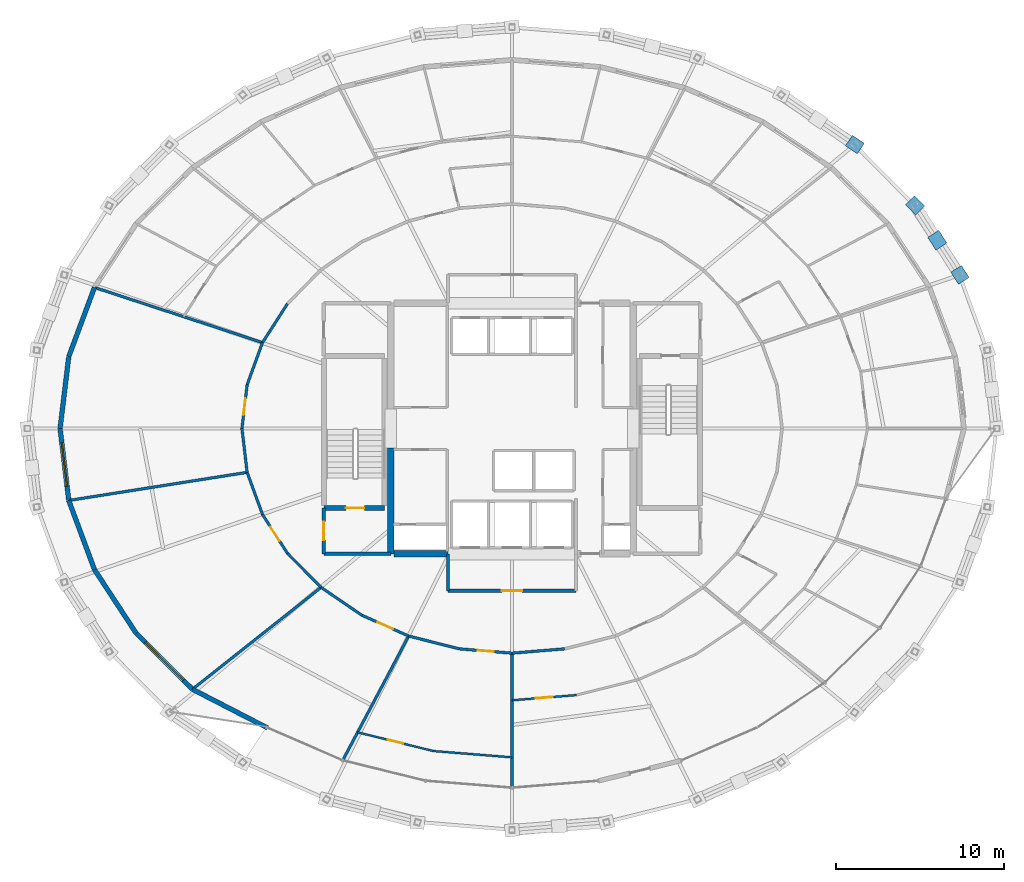
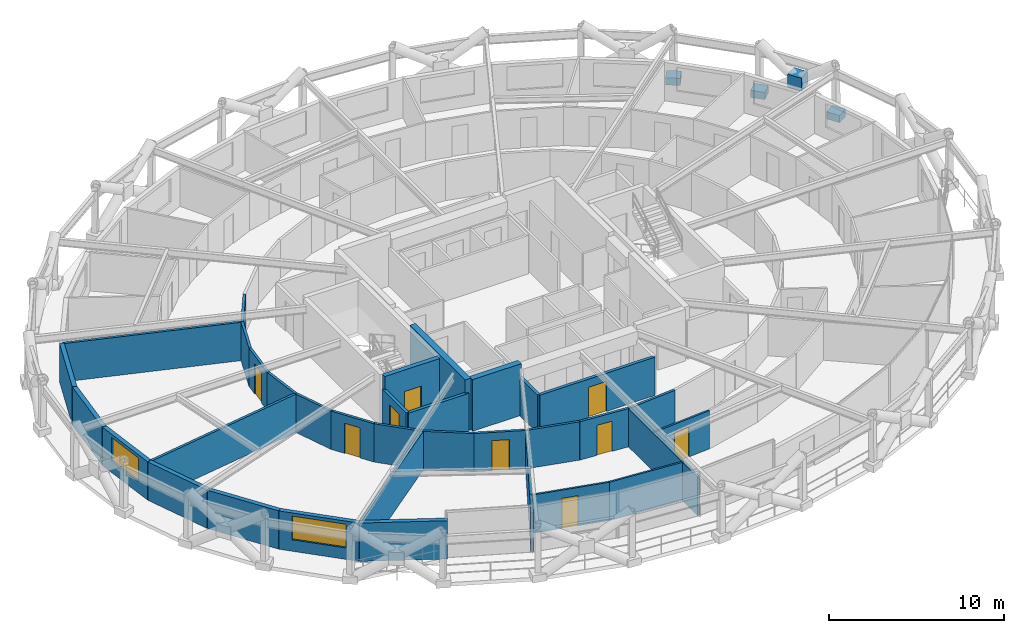
# One storey, part 15 of 23: 34 walls, 9 doors, 4 plates, 2 windows, 11 openings.
"""IFC4 building model written with IfcOpenShell, lengths in metres."""

from ifc_helpers import new_model, si_unit, direction, frame, frame_2d, origin, origin_2d, place, context, subcontext, project, spatial, rectangle, extrude, material, layer, layer_set, type_object, element, fill, save


model = new_model("IFC4")

# Units and contexts
model_context = context("Model", 3, precision=1e-05, world=origin(), true_north=direction((0.0, 1.0)))
body_context = subcontext(model_context, "Body", "Model", "MODEL_VIEW")
ifc_project = project(units=[si_unit("LENGTHUNIT", "METRE"), si_unit("AREAUNIT", "SQUARE_METRE"), si_unit("VOLUMEUNIT", "CUBIC_METRE"), si_unit("PLANEANGLEUNIT", "RADIAN"), si_unit("MASSUNIT", "GRAM", prefix="KILO")], contexts=[model_context])

# Site, building, storey
site_placement = place(None, origin())
site = spatial("IfcSite", under=ifc_project, at=site_placement, CompositionType="ELEMENT")
building_placement = place(site_placement, origin())
building = spatial("IfcBuilding", under=site, at=building_placement, Name="Veldorina Hangang Commons", CompositionType="ELEMENT")
storey_placement = place(building_placement, frame((0.0, 0.0, 102.39990234375)))
storey = spatial("IfcBuildingStorey", under=building, at=storey_placement, Name="L26", CompositionType="ELEMENT", Elevation=102.39990234375)

# Plates
ifc_material_1 = material(Name="Steel SM460-TMC", Category="steel")
ifc_layer_1 = layer(ifc_material_1, 0.035888671875)
ifc_layer_set_1 = layer_set([ifc_layer_1], Name="Steel SM460-TMC")
plate_type = type_object("IfcPlateType", Name="PL-STAR-36", PredefinedType="USERDEFINED", material=ifc_layer_set_1)
plate_1_placement = place(storey_placement, frame((58.625732421875, 33.135986328125, -0.08984375), z_axis=(0.0, 0.0, 1.0), x_axis=(-0.542177586725, 0.840263925474, 0.0)))
element("IfcPlate", 1, at=plate_1_placement, inside=storey, type_object=plate_type, Name="L26 diagrid star-node gusset plate 02", ObjectType="GUSSET PLATE", PredefinedType="USERDEFINED", context=body_context, shape_type="SweptSolid", body=[
    extrude(rectangle(XDim=0.85009765625, YDim=0.75, at=origin_2d()), origin(), (0.0, 0.0, 1.0), 0.5),
])
plate_2_placement = place(storey_placement, frame((57.2783203125, 35.19384765625, 1.35107421875), z_axis=(0.0, 0.0, 1.0), x_axis=(-0.542177586725, 0.840263925474, 0.0)))
element("IfcPlate", 2, at=plate_2_placement, inside=storey, type_object=plate_type, Name="L26 diagrid X-crossing star-node gusset plate 02", ObjectType="GUSSET PLATE", PredefinedType="USERDEFINED", context=body_context, shape_type="SweptSolid", body=[
    extrude(rectangle(XDim=0.89990234375, YDim=0.780029296875, at=origin_2d()), origin(), (0.0, 0.0, 1.0), 0.89990234375),
])
for number, where, z_axis, x_axis, name in (
    (3, (55.962646484375, 37.263427734375, -0.08984375), (0.0, 0.0, 1.0), (-0.703791578402, 0.710406513322, 0.0), "L26 diagrid star-node gusset plate 03"),
    (4, (52.37841796875, 40.88134765625, -0.08984375), (0.0, 0.0, 1.0), (-0.826992272221, 0.56221328843, 0.0), "L26 diagrid star-node gusset plate 04"),
):
    element("IfcPlate", number, at=place(storey_placement, frame(where, z_axis=z_axis, x_axis=x_axis)), inside=storey, type_object=plate_type, Name=name, ObjectType="GUSSET PLATE", PredefinedType="USERDEFINED", context=body_context, shape_type="SweptSolid", body=[
        extrude(rectangle(XDim=0.85009765625, YDim=0.75, at=origin_2d()), origin(), (0.0, 0.0, 1.0), 0.5),
    ])

# Walls
ifc_material_2 = material(Name="Concrete C70/85", Category="concrete")
ifc_layer_2 = layer(ifc_material_2, 0.3798828125)
ifc_layer_set_2 = layer_set([ifc_layer_2], Name="Concrete C70/85")
wall_type_1 = type_object("IfcWallType", Name="CW-RC380-C70", PredefinedType="SHEAR", material=ifc_layer_set_2)
wall_1_placement = place(storey_placement, frame((24.800048828125, 16.550048828125, 0.0), z_axis=(0.0, 0.0, 1.0), x_axis=(0.0, 1.0, 0.0)))
element("IfcWall", 5, at=wall_1_placement, inside=storey, type_object=wall_type_1, Name="L26 W south core shear wall", PredefinedType="SHEAR", context=body_context, shape_type="SweptSolid", body=[
    extrude(rectangle(XDim=6.300048828125, YDim=0.3798828125, at=frame_2d((3.14990234375, 0.0))), origin(), (0.0, 0.0, 1.0), 3.60009765625),
])
wall_2_placement = place(storey_placement, frame((24.989990234375, 16.550048828125, 0.0), z_axis=(0.0, 0.0, 1.0), x_axis=(1.0, 0.0, 0.0)))
element("IfcWall", 6, at=wall_2_placement, inside=storey, type_object=wall_type_1, Name="L26 south-west core shear wall", PredefinedType="SHEAR", context=body_context, shape_type="SweptSolid", body=[
    extrude(rectangle(XDim=3.2099609375, YDim=0.3798828125, at=frame_2d((1.60498046875, 0.0))), origin(), (0.0, 0.0, 1.0), 3.60009765625),
])
ifc_material_3 = material(Name="Stone Roman Travertine", Category="masonry")
ifc_layer_3 = layer(ifc_material_3, 0.280029296875)
ifc_layer_set_3 = layer_set([ifc_layer_3], Name="Stone Roman Travertine")
wall_type_2 = type_object("IfcWallType", Name="EW-TRAV-280", PredefinedType="STANDARD", material=ifc_layer_set_3)
wall_3_placement = place(storey_placement, frame((7.18505859375, 32.385986328125, 0.0), z_axis=(0.0, 0.0, 1.0), x_axis=(-0.3485233369, -0.937300103295, 0.0)))
element("IfcWall", 7, at=wall_3_placement, inside=storey, type_object=wall_type_2, Name="L26 travertine facade wall 14", PredefinedType="STANDARD", context=body_context, shape_type="SweptSolid", body=[
    extrude(rectangle(XDim=4.3857421875, YDim=0.280029296875, at=frame_2d((2.19287109375, 0.0))), origin(), (0.0, 0.0, 1.0), 2.670166015625),
])
wall_4_placement = place(storey_placement, frame((5.656494140625, 28.275146484375, 0.0), z_axis=(0.0, 0.0, 1.0), x_axis=(-0.119853881621, -0.992791542601, 0.0)))
element("IfcWall", 8, at=wall_4_placement, inside=storey, type_object=wall_type_2, Name="L26 travertine facade wall 15", PredefinedType="STANDARD", context=body_context, shape_type="SweptSolid", body=[
    extrude(rectangle(XDim=4.30615234375, YDim=0.280029296875, at=frame_2d((2.153076171875, 0.0))), origin(), (0.0, 0.0, 1.0), 2.670166015625),
])

# Wall, opening, window
wall_5_placement = place(storey_placement, frame((5.140380859375, 24.0, 0.0), z_axis=(0.0, 0.0, 1.0), x_axis=(0.119853881621, -0.992791542601, 0.0)))
wall_5 = element("IfcWall", 9, at=wall_5_placement, inside=storey, type_object=wall_type_2, Name="L26 travertine facade wall 16", PredefinedType="STANDARD", context=body_context, shape_type="SweptSolid", body=[
    extrude(rectangle(XDim=4.30615234375, YDim=0.280029296875, at=frame_2d((2.153076171875, 0.0))), origin(), (0.0, 0.0, 1.0), 2.670166015625),
])
opening_1_placement = place(wall_5_placement, frame((0.85302734375, 0.0, 0.800048828125)))
opening_1 = element("IfcOpeningElement", 10, at=opening_1_placement, cuts=wall_5, Name="Opening W-02", PredefinedType="OPENING", context=body_context, shape_type="SweptSolid", body=[
    extrude(rectangle(XDim=2.60009765625, YDim=1.64990234375, at=frame_2d((1.300048828125, 0.824951171875))), frame((0.0, 0.14990234375, 0.0), z_axis=(0.0, -1.0, 0.0), x_axis=(1.0, 0.0, 0.0)), (0.0, 0.0, 1.0), 0.300048828125),
])
ifc_material_4 = material(Name="Glass Low-E Triple IGU", Category="glass")
window_type_1 = type_object("IfcWindowType", Name="WIN-TWR-2600", PartitioningType="SINGLE_PANEL", PredefinedType="WINDOW", material=ifc_material_4)
window_1_placement = place(opening_1_placement, origin())
window_1 = element("IfcWindow", 11, at=window_1_placement, inside=storey, type_object=window_type_1, Name="L26 facade window 16", OverallHeight=1.64990234375, OverallWidth=2.60009765625, PartitioningType="SINGLE_PANEL", PredefinedType="WINDOW", context=body_context, shape_type="SweptSolid", body=[
    extrude(rectangle(XDim=2.60009765625, YDim=1.64990234375, at=frame_2d((1.300048828125, 0.824951171875))), frame((0.0, 0.030029296875, 0.0), z_axis=(0.0, -1.0, 0.0), x_axis=(1.0, 0.0, 0.0)), (0.0, 0.0, 1.0), 0.06005859375),
])
fill(opening_1, window_1)

# Walls
wall_6_placement = place(storey_placement, frame((5.656494140625, 19.724853515625, 0.0), z_axis=(0.0, 0.0, 1.0), x_axis=(0.3485233369, -0.937300103295, 0.0)))
element("IfcWall", 12, at=wall_6_placement, inside=storey, type_object=wall_type_2, Name="L26 travertine facade wall 17", PredefinedType="STANDARD", context=body_context, shape_type="SweptSolid", body=[
    extrude(rectangle(XDim=4.3857421875, YDim=0.280029296875, at=frame_2d((2.19287109375, 0.0))), origin(), (0.0, 0.0, 1.0), 2.670166015625),
])
wall_7_placement = place(storey_placement, frame((7.18505859375, 15.614013671875, 0.0), z_axis=(0.0, 0.0, 1.0), x_axis=(0.547989842324, -0.836484986542, 0.0)))
element("IfcWall", 13, at=wall_7_placement, inside=storey, type_object=wall_type_2, Name="L26 travertine facade wall 18", PredefinedType="STANDARD", context=body_context, shape_type="SweptSolid", body=[
    extrude(rectangle(XDim=4.529052734375, YDim=0.280029296875, at=frame_2d((2.2646484375, 0.0))), origin(), (0.0, 0.0, 1.0), 2.670166015625),
])

# Wall, opening, window
wall_8_placement = place(storey_placement, frame((9.6669921875, 11.825439453125, 0.0), z_axis=(0.0, 0.0, 1.0), x_axis=(0.709177055594, -0.705030427583, 0.0)))
wall_8 = element("IfcWall", 14, at=wall_8_placement, inside=storey, type_object=wall_type_2, Name="L26 travertine facade wall 19", PredefinedType="STANDARD", context=body_context, shape_type="SweptSolid", body=[
    extrude(rectangle(XDim=4.710205078125, YDim=0.280029296875, at=frame_2d((2.35498046875, 0.0))), origin(), (0.0, 0.0, 1.0), 2.670166015625),
])
opening_2_placement = place(wall_8_placement, frame((0.7548828125, 0.0, 0.800048828125)))
opening_2 = element("IfcOpeningElement", 15, at=opening_2_placement, cuts=wall_8, Name="Opening W-01", PredefinedType="OPENING", context=body_context, shape_type="SweptSolid", body=[
    extrude(rectangle(XDim=3.199951171875, YDim=1.64990234375, at=frame_2d((1.60009765625, 0.824951171875))), frame((0.0, 0.14990234375, 0.0), z_axis=(0.0, -1.0, 0.0), x_axis=(1.0, 0.0, 0.0)), (0.0, 0.0, 1.0), 0.300048828125),
])
window_type_2 = type_object("IfcWindowType", Name="WIN-TWR-3200", PartitioningType="SINGLE_PANEL", PredefinedType="WINDOW", material=ifc_material_4)
window_2_placement = place(opening_2_placement, origin())
window_2 = element("IfcWindow", 16, at=window_2_placement, inside=storey, type_object=window_type_2, Name="L26 facade window 19", OverallHeight=1.64990234375, OverallWidth=3.199951171875, PartitioningType="SINGLE_PANEL", PredefinedType="WINDOW", context=body_context, shape_type="SweptSolid", body=[
    extrude(rectangle(XDim=3.199951171875, YDim=1.64990234375, at=frame_2d((1.60009765625, 0.824951171875))), frame((0.0, 0.030029296875, 0.0), z_axis=(0.0, -1.0, 0.0), x_axis=(1.0, 0.0, 0.0)), (0.0, 0.0, 1.0), 0.06005859375),
])
fill(opening_2, window_2)

# Wall
wall_9_placement = place(storey_placement, frame((13.00732421875, 8.504638671875, 0.0), z_axis=(0.0, 0.0, 1.0), x_axis=(0.888766343183, -0.458360542833, 0.0)))
element("IfcWall", 17, at=wall_9_placement, inside=storey, type_object=wall_type_2, Name="L26 travertine facade wall 20", PredefinedType="STANDARD", context=body_context, shape_type="SweptSolid", body=[
    extrude(rectangle(XDim=5.021728515625, YDim=0.280029296875, at=frame_2d((2.5107421875, 0.0))), origin(), (0.0, 0.0, 1.0), 2.670166015625),
])

# Wall, opening, door
ifc_material_5 = material(Name="Concrete C50/60", Category="concrete")
ifc_layer_4 = layer(ifc_material_5, 0.300048828125)
ifc_layer_set_4 = layer_set([ifc_layer_4], Name="Concrete C50/60")
wall_type_3 = type_object("IfcWallType", Name="SW-STAIR-300", PredefinedType="SHEAR", material=ifc_layer_set_4)
wall_10_placement = place(storey_placement, frame((20.820068359375, 19.280029296875, 0.0), z_axis=(0.0, 0.0, 1.0), x_axis=(1.0, 0.0, 0.0)))
wall_10 = element("IfcWall", 18, at=wall_10_placement, inside=storey, type_object=wall_type_3, Name="L26 ST1 south stair shear wall", PredefinedType="SHEAR", context=body_context, shape_type="SweptSolid", body=[
    extrude(rectangle(XDim=3.599853515625, YDim=0.300048828125, at=frame_2d((1.7998046875, 0.0))), origin(), (0.0, 0.0, 1.0), 3.60009765625),
])
opening_3_placement = place(wall_10_placement, frame((1.300048828125, 0.0, 0.0)))
opening_3 = element("IfcOpeningElement", 19, at=opening_3_placement, cuts=wall_10, Name="Opening D-08", PredefinedType="OPENING", context=body_context, shape_type="SweptSolid", body=[
    extrude(rectangle(XDim=1.10009765625, YDim=2.10009765625, at=frame_2d((0.550048828125, 1.050048828125))), frame((0.0, 0.16015625, 0.0), z_axis=(0.0, -1.0, 0.0), x_axis=(1.0, 0.0, 0.0)), (0.0, 0.0, 1.0), 0.320068359375),
])
ifc_material_6 = material(Name="Steel Fire-Rated Smoke Seal", Category="steel")
door_type_1 = type_object("IfcDoorType", Name="DR-FIRE-1100", OperationType="SINGLE_SWING_RIGHT", PredefinedType="DOOR", material=ifc_material_6)
door_1_placement = place(opening_3_placement, origin())
door_1 = element("IfcDoor", 20, at=door_1_placement, inside=storey, type_object=door_type_1, Name="L26 Special Escape Stair ST-1 door", OperationType="SINGLE_SWING_LEFT", OverallHeight=2.10009765625, OverallWidth=1.10009765625, PredefinedType="DOOR", context=body_context, shape_type="SweptSolid", body=[
    extrude(rectangle(XDim=1.10009765625, YDim=2.10009765625, at=frame_2d((0.550048828125, 1.050048828125))), frame((0.0, 0.02490234375, 0.0), z_axis=(0.0, -1.0, 0.0), x_axis=(1.0, 0.0, 0.0)), (0.0, 0.0, 1.0), 0.050048828125),
])
fill(opening_3, door_1)

# Walls
ifc_material_7 = material(Name="Gypsum Fire-Rated Twin Stud Wall", Category="gypsum")
ifc_layer_5 = layer(ifc_material_7, 0.159912109375)
ifc_layer_set_5 = layer_set([ifc_layer_5], Name="Gypsum Fire-Rated Twin Stud Wall")
wall_type_4 = type_object("IfcWallType", Name="WL-FIRE-160", PredefinedType="SOLIDWALL", material=ifc_layer_set_5)
wall_11_placement = place(storey_placement, frame((18.65478515625, 31.4169921875, 0.0), z_axis=(0.0, 0.0, 1.0), x_axis=(-0.540595670038, -0.841282545603, 0.0)))
element("IfcWall", 21, at=wall_11_placement, inside=storey, type_object=wall_type_4, Name="L26 Corridor outer wall 13 058", PredefinedType="SOLIDWALL", context=body_context, shape_type="SweptSolid", body=[
    extrude(rectangle(XDim=2.74365234375, YDim=0.159912109375, at=frame_2d((1.371826171875, 0.0))), origin(), (0.0, 0.0, 1.0), 2.670166015625),
])
wall_12_placement = place(storey_placement, frame((17.171630859375, 29.10888671875, 0.0), z_axis=(0.0, 0.0, 1.0), x_axis=(-0.342617982381, -0.939474809747, 0.0)))
element("IfcWall", 22, at=wall_12_placement, inside=storey, type_object=wall_type_4, Name="L26 Corridor outer wall 14 059", PredefinedType="SOLIDWALL", context=body_context, shape_type="SweptSolid", body=[
    extrude(rectangle(XDim=2.665771484375, YDim=0.159912109375, at=frame_2d((1.3330078125, 0.0))), origin(), (0.0, 0.0, 1.0), 2.670166015625),
])

# Wall, opening, door
wall_13_placement = place(storey_placement, frame((16.25830078125, 26.6044921875, 0.0), z_axis=(0.0, 0.0, 1.0), x_axis=(-0.117570353762, -0.993064555765, 0.0)))
wall_13 = element("IfcWall", 23, at=wall_13_placement, inside=storey, type_object=wall_type_4, Name="L26 Corridor outer wall 15 060", PredefinedType="SOLIDWALL", context=body_context, shape_type="SweptSolid", body=[
    extrude(rectangle(XDim=2.622802734375, YDim=0.159912109375, at=frame_2d((1.3115234375, 0.0))), origin(), (0.0, 0.0, 1.0), 2.670166015625),
])
opening_4_placement = place(wall_13_placement, frame((0.811279296875, 0.0, 0.0)))
opening_4 = element("IfcOpeningElement", 24, at=opening_4_placement, cuts=wall_13, Name="Opening D-05", PredefinedType="OPENING", context=body_context, shape_type="SweptSolid", body=[
    extrude(rectangle(XDim=1.0, YDim=2.10009765625, at=frame_2d((0.5, 1.050048828125))), frame((0.0, 0.08984375, 0.0), z_axis=(0.0, -1.0, 0.0), x_axis=(1.0, 0.0, 0.0)), (0.0, 0.0, 1.0), 0.179931640625),
])
ifc_material_8 = material(Name="Timber Solid Core Acoustic", Category="wood")
door_type_2 = type_object("IfcDoorType", Name="DR-INT-1000", OperationType="SINGLE_SWING_RIGHT", PredefinedType="DOOR", material=ifc_material_8)
door_2_placement = place(opening_4_placement, origin())
door_2 = element("IfcDoor", 25, at=door_2_placement, inside=storey, type_object=door_type_2, Name="L26 Floor Study Room 5 door 045", OperationType="SINGLE_SWING_LEFT", OverallHeight=2.10009765625, OverallWidth=1.0, PredefinedType="DOOR", context=body_context, shape_type="SweptSolid", body=[
    extrude(rectangle(XDim=1.0, YDim=2.10009765625, at=frame_2d((0.5, 1.050048828125))), frame((0.0, 0.02490234375, 0.0), z_axis=(0.0, -1.0, 0.0), x_axis=(1.0, 0.0, 0.0)), (0.0, 0.0, 1.0), 0.050048828125),
])
fill(opening_4, door_2)

# Walls
wall_14_placement = place(storey_placement, frame((15.949951171875, 24.0, 0.0), z_axis=(0.0, 0.0, 1.0), x_axis=(0.117570353762, -0.993064555765, 0.0)))
element("IfcWall", 26, at=wall_14_placement, inside=storey, type_object=wall_type_4, Name="L26 Corridor outer wall 16 061", PredefinedType="SOLIDWALL", context=body_context, shape_type="SweptSolid", body=[
    extrude(rectangle(XDim=2.622802734375, YDim=0.159912109375, at=frame_2d((1.3115234375, 0.0))), origin(), (0.0, 0.0, 1.0), 2.670166015625),
])
wall_15_placement = place(storey_placement, frame((16.25830078125, 21.3955078125, 0.0), z_axis=(0.0, 0.0, 1.0), x_axis=(0.342617982381, -0.939474809747, 0.0)))
element("IfcWall", 27, at=wall_15_placement, inside=storey, type_object=wall_type_4, Name="L26 Corridor outer wall 17 062", PredefinedType="SOLIDWALL", context=body_context, shape_type="SweptSolid", body=[
    extrude(rectangle(XDim=2.665771484375, YDim=0.159912109375, at=frame_2d((1.3330078125, 0.0))), origin(), (0.0, 0.0, 1.0), 2.670166015625),
])

# Wall, opening, door
wall_16_placement = place(storey_placement, frame((17.171630859375, 18.89111328125, 0.0), z_axis=(0.0, 0.0, 1.0), x_axis=(0.540595670038, -0.841282545603, 0.0)))
wall_16 = element("IfcWall", 28, at=wall_16_placement, inside=storey, type_object=wall_type_4, Name="L26 Corridor outer wall 18 063", PredefinedType="SOLIDWALL", context=body_context, shape_type="SweptSolid", body=[
    extrude(rectangle(XDim=2.74365234375, YDim=0.159912109375, at=frame_2d((1.371826171875, 0.0))), origin(), (0.0, 0.0, 1.0), 2.670166015625),
])
opening_5_placement = place(wall_16_placement, frame((0.871826171875, 0.0, 0.0)))
opening_5 = element("IfcOpeningElement", 29, at=opening_5_placement, cuts=wall_16, Name="Opening D-05", PredefinedType="OPENING", context=body_context, shape_type="SweptSolid", body=[
    extrude(rectangle(XDim=1.0, YDim=2.10009765625, at=frame_2d((0.5, 1.050048828125))), frame((0.0, 0.08984375, 0.0), z_axis=(0.0, -1.0, 0.0), x_axis=(1.0, 0.0, 0.0)), (0.0, 0.0, 1.0), 0.179931640625),
])
door_3_placement = place(opening_5_placement, origin())
door_3 = element("IfcDoor", 30, at=door_3_placement, inside=storey, type_object=door_type_2, Name="L26 Floor Study Room 6 door 046", OperationType="SINGLE_SWING_RIGHT", OverallHeight=2.10009765625, OverallWidth=1.0, PredefinedType="DOOR", context=body_context, shape_type="SweptSolid", body=[
    extrude(rectangle(XDim=1.0, YDim=2.10009765625, at=frame_2d((0.5, 1.050048828125))), frame((0.0, 0.02490234375, 0.0), z_axis=(0.0, -1.0, 0.0), x_axis=(1.0, 0.0, 0.0)), (0.0, 0.0, 1.0), 0.050048828125),
])
fill(opening_5, door_3)

# Walls
wall_17_placement = place(storey_placement, frame((18.65478515625, 16.5830078125, 0.0), z_axis=(0.0, 0.0, 1.0), x_axis=(0.702366174226, -0.711815816981, 0.0)))
element("IfcWall", 31, at=wall_17_placement, inside=storey, type_object=wall_type_4, Name="L26 Corridor outer wall 19 064", PredefinedType="SOLIDWALL", context=body_context, shape_type="SweptSolid", body=[
    extrude(rectangle(XDim=2.842041015625, YDim=0.159912109375, at=frame_2d((1.4208984375, 0.0))), origin(), (0.0, 0.0, 1.0), 2.670166015625),
])
wall_18_placement = place(storey_placement, frame((20.65087890625, 14.56005859375, 0.0), z_axis=(0.0, 0.0, 1.0), x_axis=(0.825929039072, -0.563774088104, 0.0)))
element("IfcWall", 32, at=wall_18_placement, inside=storey, type_object=wall_type_4, Name="L26 Corridor outer wall 20 065", PredefinedType="SOLIDWALL", context=body_context, shape_type="SweptSolid", body=[
    extrude(rectangle(XDim=2.94482421875, YDim=0.159912109375, at=frame_2d((1.472412109375, 0.0))), origin(), (0.0, 0.0, 1.0), 2.670166015625),
])

# Wall, opening, door
wall_19_placement = place(storey_placement, frame((23.0830078125, 12.89990234375, 0.0), z_axis=(0.0, 0.0, 1.0), x_axis=(0.913768445178, -0.406235434936, 0.0)))
wall_19 = element("IfcWall", 33, at=wall_19_placement, inside=storey, type_object=wall_type_4, Name="L26 Corridor outer wall 21 066", PredefinedType="SOLIDWALL", context=body_context, shape_type="SweptSolid", body=[
    extrude(rectangle(XDim=3.036865234375, YDim=0.159912109375, at=frame_2d((1.5185546875, 0.0))), origin(), (0.0, 0.0, 1.0), 2.670166015625),
])
opening_6_placement = place(wall_19_placement, frame((1.018310546875, 0.0, 0.0)))
opening_6 = element("IfcOpeningElement", 34, at=opening_6_placement, cuts=wall_19, Name="Opening D-05", PredefinedType="OPENING", context=body_context, shape_type="SweptSolid", body=[
    extrude(rectangle(XDim=1.0, YDim=2.10009765625, at=frame_2d((0.5, 1.050048828125))), frame((0.0, 0.08984375, 0.0), z_axis=(0.0, -1.0, 0.0), x_axis=(1.0, 0.0, 0.0)), (0.0, 0.0, 1.0), 0.179931640625),
])
door_4_placement = place(opening_6_placement, origin())
door_4 = element("IfcDoor", 35, at=door_4_placement, inside=storey, type_object=door_type_2, Name="L26 Seminar Focus Room 7 door 047", OperationType="SINGLE_SWING_LEFT", OverallHeight=2.10009765625, OverallWidth=1.0, PredefinedType="DOOR", context=body_context, shape_type="SweptSolid", body=[
    extrude(rectangle(XDim=1.0, YDim=2.10009765625, at=frame_2d((0.5, 1.050048828125))), frame((0.0, 0.02490234375, 0.0), z_axis=(0.0, -1.0, 0.0), x_axis=(1.0, 0.0, 0.0)), (0.0, 0.0, 1.0), 0.050048828125),
])
fill(opening_6, door_4)

# Wall
wall_20_placement = place(storey_placement, frame((25.85791015625, 11.666259765625, 0.0), z_axis=(0.0, 0.0, 1.0), x_axis=(0.969608333194, -0.244662380029, 0.0)))
element("IfcWall", 36, at=wall_20_placement, inside=storey, type_object=wall_type_4, Name="L26 Corridor outer wall 22 067", PredefinedType="SOLIDWALL", context=body_context, shape_type="SweptSolid", body=[
    extrude(rectangle(XDim=3.10546875, YDim=0.159912109375, at=frame_2d((1.552734375, 0.0))), origin(), (0.0, 0.0, 1.0), 2.670166015625),
])

# Wall, opening, door
wall_21_placement = place(storey_placement, frame((28.868896484375, 10.906494140625, 0.0), z_axis=(0.0, 0.0, 1.0), x_axis=(0.996658973252, -0.081675522876, 0.0)))
wall_21 = element("IfcWall", 37, at=wall_21_placement, inside=storey, type_object=wall_type_4, Name="L26 Corridor outer wall 23 068", PredefinedType="SOLIDWALL", context=body_context, shape_type="SweptSolid", body=[
    extrude(rectangle(XDim=3.1416015625, YDim=0.159912109375, at=frame_2d((1.57080078125, 0.0))), origin(), (0.0, 0.0, 1.0), 2.670166015625),
])
opening_7_placement = place(wall_21_placement, frame((1.095703125, 0.0, 0.0)))
opening_7 = element("IfcOpeningElement", 38, at=opening_7_placement, cuts=wall_21, Name="Opening D-02", PredefinedType="OPENING", context=body_context, shape_type="SweptSolid", body=[
    extrude(rectangle(XDim=0.949951171875, YDim=2.10009765625, at=frame_2d((0.47509765625, 1.050048828125))), frame((0.0, 0.08984375, 0.0), z_axis=(0.0, -1.0, 0.0), x_axis=(1.0, 0.0, 0.0)), (0.0, 0.0, 1.0), 0.179931640625),
])
door_type_3 = type_object("IfcDoorType", Name="DR-INT-950", OperationType="SINGLE_SWING_LEFT", PredefinedType="DOOR", material=ifc_material_8)
door_5_placement = place(opening_7_placement, origin())
door_5 = element("IfcDoor", 39, at=door_5_placement, inside=storey, type_object=door_type_3, Name="L26 Linen drying store door 048", OperationType="SINGLE_SWING_RIGHT", OverallHeight=2.10009765625, OverallWidth=0.949951171875, PredefinedType="DOOR", context=body_context, shape_type="SweptSolid", body=[
    extrude(rectangle(XDim=0.949951171875, YDim=2.10009765625, at=frame_2d((0.47509765625, 1.050048828125))), frame((0.0, 0.02490234375, 0.0), z_axis=(0.0, -1.0, 0.0), x_axis=(1.0, 0.0, 0.0)), (0.0, 0.0, 1.0), 0.050048828125),
])
fill(opening_7, door_5)

# Walls
wall_22_placement = place(storey_placement, frame((32.0, 10.64990234375, 0.0), z_axis=(0.0, 0.0, 1.0), x_axis=(0.996658973252, 0.081675522876, 0.0)))
element("IfcWall", 40, at=wall_22_placement, inside=storey, type_object=wall_type_4, Name="L26 Corridor outer wall 24 069", PredefinedType="SOLIDWALL", context=body_context, shape_type="SweptSolid", body=[
    extrude(rectangle(XDim=3.1416015625, YDim=0.159912109375, at=frame_2d((1.57080078125, 0.0))), origin(), (0.0, 0.0, 1.0), 2.670166015625),
])
wall_23_placement = place(storey_placement, frame((32.0, 10.64990234375, 0.0), z_axis=(0.0, 0.0, 1.0), x_axis=(0.0, -1.0, 0.0)))
element("IfcWall", 41, at=wall_23_placement, inside=storey, type_object=wall_type_4, Name="L26 Unit party wall 24 077", PredefinedType="SOLIDWALL", context=body_context, shape_type="SweptSolid", body=[
    extrude(rectangle(XDim=7.95361328125, YDim=0.159912109375, at=frame_2d((3.976806640625, 0.0))), origin(), (0.0, 0.0, 1.0), 2.670166015625),
])
wall_24_placement = place(storey_placement, frame((17.171630859375, 29.10888671875, 0.0), z_axis=(0.0, 0.0, 1.0), x_axis=(-0.95015260274, 0.311785232984, 0.0)))
element("IfcWall", 42, at=wall_24_placement, inside=storey, type_object=wall_type_4, Name="L26 Unit party wall 14 124", PredefinedType="SOLIDWALL", context=body_context, shape_type="SweptSolid", body=[
    extrude(rectangle(XDim=10.460693359375, YDim=0.159912109375, at=frame_2d((5.23046875, 0.0))), origin(), (0.0, 0.0, 1.0), 2.670166015625),
])
wall_25_placement = place(storey_placement, frame((16.25830078125, 21.3955078125, 0.0), z_axis=(0.0, 0.0, 1.0), x_axis=(-0.987811096545, -0.155657436517, 0.0)))
element("IfcWall", 43, at=wall_25_placement, inside=storey, type_object=wall_type_4, Name="L26 Unit party wall 17 125", PredefinedType="SOLIDWALL", context=body_context, shape_type="SweptSolid", body=[
    extrude(rectangle(XDim=10.6826171875, YDim=0.159912109375, at=frame_2d((5.34130859375, 0.0))), origin(), (0.0, 0.0, 1.0), 2.670166015625),
])
wall_26_placement = place(storey_placement, frame((20.65087890625, 14.56005859375, 0.0), z_axis=(0.0, 0.0, 1.0), x_axis=(-0.783825840098, -0.620980718215, 0.0)))
element("IfcWall", 44, at=wall_26_placement, inside=storey, type_object=wall_type_4, Name="L26 Unit party wall 20 126", PredefinedType="SOLIDWALL", context=body_context, shape_type="SweptSolid", body=[
    extrude(rectangle(XDim=9.701416015625, YDim=0.159912109375, at=frame_2d((4.8505859375, 0.0))), origin(), (0.0, 0.0, 1.0), 2.670166015625),
])
wall_27_placement = place(storey_placement, frame((25.85791015625, 11.666259765625, 0.0), z_axis=(0.0, 0.0, 1.0), x_axis=(-0.468598051713, -0.883411492981, 0.0)))
element("IfcWall", 45, at=wall_27_placement, inside=storey, type_object=wall_type_4, Name="L26 Unit party wall 22 127", PredefinedType="SOLIDWALL", context=body_context, shape_type="SweptSolid", body=[
    extrude(rectangle(XDim=8.3203125, YDim=0.159912109375, at=frame_2d((4.16015625, 0.0))), origin(), (0.0, 0.0, 1.0), 2.670166015625),
])

# Wall, opening, door
ifc_material_9 = material(Name="Concrete Blockwork Fire Wall C30/37", Category="masonry")
ifc_layer_6 = layer(ifc_material_9, 0.199951171875)
ifc_layer_set_6 = layer_set([ifc_layer_6], Name="Concrete Blockwork Fire Wall C30/37")
wall_type_5 = type_object("IfcWallType", Name="WL-FIRE-200", PredefinedType="SOLIDWALL", material=ifc_layer_set_6)
wall_28_placement = place(storey_placement, frame((20.820068359375, 16.550048828125, 0.0), z_axis=(0.0, 0.0, 1.0), x_axis=(0.0, 1.0, 0.0)))
wall_28 = element("IfcWall", 46, at=wall_28_placement, inside=storey, type_object=wall_type_5, Name="L26 West vestibule outer wall 001", PredefinedType="SOLIDWALL", context=body_context, shape_type="SweptSolid", body=[
    extrude(rectangle(XDim=2.72998046875, YDim=0.199951171875, at=frame_2d((1.364990234375, 0.0))), origin(), (0.0, 0.0, 1.0), 2.670166015625),
])
opening_8_placement = place(wall_28_placement, frame((0.81494140625, 0.0, 0.0)))
opening_8 = element("IfcOpeningElement", 47, at=opening_8_placement, cuts=wall_28, Name="Opening D-08", PredefinedType="OPENING", context=body_context, shape_type="SweptSolid", body=[
    extrude(rectangle(XDim=1.10009765625, YDim=2.10009765625, at=frame_2d((0.550048828125, 1.050048828125))), frame((0.0, 0.10986328125, 0.0), z_axis=(0.0, -1.0, 0.0), x_axis=(1.0, 0.0, 0.0)), (0.0, 0.0, 1.0), 0.219970703125),
])
door_6_placement = place(opening_8_placement, origin())
door_6 = element("IfcDoor", 48, at=door_6_placement, inside=storey, type_object=door_type_1, Name="L26 West vestibule west door 001", OperationType="SINGLE_SWING_LEFT", OverallHeight=2.10009765625, OverallWidth=1.10009765625, PredefinedType="DOOR", context=body_context, shape_type="SweptSolid", body=[
    extrude(rectangle(XDim=1.10009765625, YDim=2.10009765625, at=frame_2d((0.550048828125, 1.050048828125))), frame((0.0, 0.02490234375, 0.0), z_axis=(0.0, -1.0, 0.0), x_axis=(1.0, 0.0, 0.0)), (0.0, 0.0, 1.0), 0.050048828125),
])
fill(opening_8, door_6)

# Walls
wall_29_placement = place(storey_placement, frame((20.820068359375, 16.550048828125, 0.0), z_axis=(0.0, 0.0, 1.0), x_axis=(1.0, 0.0, 0.0)))
element("IfcWall", 49, at=wall_29_placement, inside=storey, type_object=wall_type_5, Name="L26 West vestibule south wall 002", PredefinedType="SOLIDWALL", context=body_context, shape_type="SweptSolid", body=[
    extrude(rectangle(XDim=3.97998046875, YDim=0.199951171875, at=frame_2d((1.989990234375, 0.0))), origin(), (0.0, 0.0, 1.0), 2.670166015625),
])
wall_30_placement = place(storey_placement, frame((28.199951171875, 14.35009765625, 0.0), z_axis=(0.0, 0.0, 1.0), x_axis=(0.0, 1.0, 0.0)))
element("IfcWall", 50, at=wall_30_placement, inside=storey, type_object=wall_type_5, Name="L26 FF lobby west wall 012", PredefinedType="SOLIDWALL", context=body_context, shape_type="SweptSolid", body=[
    extrude(rectangle(XDim=2.199951171875, YDim=0.199951171875, at=frame_2d((1.10009765625, 0.0))), origin(), (0.0, 0.0, 1.0), 2.670166015625),
])

# Wall, opening, door
wall_31_placement = place(storey_placement, frame((28.199951171875, 14.35009765625, 0.0), z_axis=(0.0, 0.0, 1.0), x_axis=(1.0, 0.0, 0.0)))
wall_31 = element("IfcWall", 51, at=wall_31_placement, inside=storey, type_object=wall_type_5, Name="L26 FF lobby south wall 014", PredefinedType="SOLIDWALL", context=body_context, shape_type="SweptSolid", body=[
    extrude(rectangle(XDim=7.60009765625, YDim=0.199951171875, at=frame_2d((3.800048828125, 0.0))), origin(), (0.0, 0.0, 1.0), 2.670166015625),
])
opening_9_placement = place(wall_31_placement, frame((3.199951171875, 0.0, 0.0)))
opening_9 = element("IfcOpeningElement", 52, at=opening_9_placement, cuts=wall_31, Name="Opening D-09", PredefinedType="OPENING", context=body_context, shape_type="SweptSolid", body=[
    extrude(rectangle(XDim=1.199951171875, YDim=2.10009765625, at=frame_2d((0.60009765625, 1.050048828125))), frame((0.0, 0.10986328125, 0.0), z_axis=(0.0, -1.0, 0.0), x_axis=(1.0, 0.0, 0.0)), (0.0, 0.0, 1.0), 0.219970703125),
])
ifc_material_10 = material(Name="Steel Fire-Rated Corridor Door", Category="steel")
door_type_4 = type_object("IfcDoorType", Name="DR-FIRE-1200", OperationType="SINGLE_SWING_LEFT", PredefinedType="DOOR", material=ifc_material_10)
door_7_placement = place(opening_9_placement, origin())
door_7 = element("IfcDoor", 53, at=door_7_placement, inside=storey, type_object=door_type_4, Name="L26 FF lobby south corridor door 005", OperationType="SINGLE_SWING_LEFT", OverallHeight=2.10009765625, OverallWidth=1.199951171875, PredefinedType="DOOR", context=body_context, shape_type="SweptSolid", body=[
    extrude(rectangle(XDim=1.199951171875, YDim=2.10009765625, at=frame_2d((0.60009765625, 1.050048828125))), frame((0.0, 0.02490234375, 0.0), z_axis=(0.0, -1.0, 0.0), x_axis=(1.0, 0.0, 0.0)), (0.0, 0.0, 1.0), 0.050048828125),
])
fill(opening_9, door_7)

ifc_material_11 = material(Name="Gypsum Acoustic Stud Partition", Category="gypsum")
ifc_layer_7 = layer(ifc_material_11, 0.1201171875)
ifc_layer_set_7 = layer_set([ifc_layer_7], Name="Gypsum Acoustic Stud Partition")
wall_type_6 = type_object("IfcWallType", Name="WL-PART-120", PredefinedType="PARTITIONING", material=ifc_layer_set_7)
wall_32_placement = place(storey_placement, frame((32.0, 7.8486328125, 0.0), z_axis=(0.0, 0.0, 1.0), x_axis=(0.996735820556, 0.080732298491, 0.0)))
wall_32 = element("IfcWall", 54, at=wall_32_placement, inside=storey, type_object=wall_type_6, Name="L26 Lounge alcove split 0 078", PredefinedType="PARTITIONING", context=body_context, shape_type="SweptSolid", body=[
    extrude(rectangle(XDim=3.843505859375, YDim=0.1201171875, at=frame_2d((1.921875, 0.0))), origin(), (0.0, 0.0, 1.0), 2.670166015625),
])
opening_10_placement = place(wall_32_placement, frame((1.421875, 0.0, 0.0)))
opening_10 = element("IfcOpeningElement", 55, at=opening_10_placement, cuts=wall_32, Name="Opening D-05", PredefinedType="OPENING", context=body_context, shape_type="SweptSolid", body=[
    extrude(rectangle(XDim=1.0, YDim=2.10009765625, at=frame_2d((0.5, 1.050048828125))), frame((0.0, 0.070068359375, 0.0), z_axis=(0.0, -1.0, 0.0), x_axis=(1.0, 0.0, 0.0)), (0.0, 0.0, 1.0), 0.14013671875),
])
door_8_placement = place(opening_10_placement, origin())
door_8 = element("IfcDoor", 56, at=door_8_placement, inside=storey, type_object=door_type_2, Name="L26 Commons lounge door 020", OperationType="SINGLE_SWING_RIGHT", OverallHeight=2.10009765625, OverallWidth=1.0, PredefinedType="DOOR", context=body_context, shape_type="SweptSolid", body=[
    extrude(rectangle(XDim=1.0, YDim=2.10009765625, at=frame_2d((0.5, 1.050048828125))), frame((0.0, 0.02490234375, 0.0), z_axis=(0.0, -1.0, 0.0), x_axis=(1.0, 0.0, 0.0)), (0.0, 0.0, 1.0), 0.050048828125),
])
fill(opening_10, door_8)

wall_33_placement = place(storey_placement, frame((22.8232421875, 5.9453125, 0.0), z_axis=(0.0, 0.0, 1.0), x_axis=(0.970765284747, -0.240030752052, 0.0)))
wall_33 = element("IfcWall", 57, at=wall_33_placement, inside=storey, type_object=wall_type_6, Name="L26 Laundry split 0 128", PredefinedType="PARTITIONING", context=body_context, shape_type="SweptSolid", body=[
    extrude(rectangle(XDim=4.634033203125, YDim=0.1201171875, at=frame_2d((2.31689453125, 0.0))), origin(), (0.0, 0.0, 1.0), 2.670166015625),
])
opening_11_placement = place(wall_33_placement, frame((1.841796875, 0.0, 0.0)))
opening_11 = element("IfcOpeningElement", 58, at=opening_11_placement, cuts=wall_33, Name="Opening D-02", PredefinedType="OPENING", context=body_context, shape_type="SweptSolid", body=[
    extrude(rectangle(XDim=0.949951171875, YDim=2.10009765625, at=frame_2d((0.47509765625, 1.050048828125))), frame((0.0, 0.070068359375, 0.0), z_axis=(0.0, -1.0, 0.0), x_axis=(1.0, 0.0, 0.0)), (0.0, 0.0, 1.0), 0.14013671875),
])
door_9_placement = place(opening_11_placement, origin())
door_9 = element("IfcDoor", 59, at=door_9_placement, inside=storey, type_object=door_type_3, Name="L26 Resident laundry inner door 049", OperationType="SINGLE_SWING_LEFT", OverallHeight=2.10009765625, OverallWidth=0.949951171875, PredefinedType="DOOR", context=body_context, shape_type="SweptSolid", body=[
    extrude(rectangle(XDim=0.949951171875, YDim=2.10009765625, at=frame_2d((0.47509765625, 1.050048828125))), frame((0.0, 0.02490234375, 0.0), z_axis=(0.0, -1.0, 0.0), x_axis=(1.0, 0.0, 0.0)), (0.0, 0.0, 1.0), 0.050048828125),
])
fill(opening_11, door_9)

# Wall
wall_34_placement = place(storey_placement, frame((27.32177734375, 4.8330078125, 0.0), z_axis=(0.0, 0.0, 1.0), x_axis=(0.996794403682, -0.080005729718, 0.0)))
element("IfcWall", 60, at=wall_34_placement, inside=storey, type_object=wall_type_6, Name="L26 Laundry split 1 129", PredefinedType="PARTITIONING", context=body_context, shape_type="SweptSolid", body=[
    extrude(rectangle(XDim=4.693359375, YDim=0.1201171875, at=frame_2d((2.3466796875, 0.0))), origin(), (0.0, 0.0, 1.0), 2.670166015625),
])

save(model, "model.ifc")
